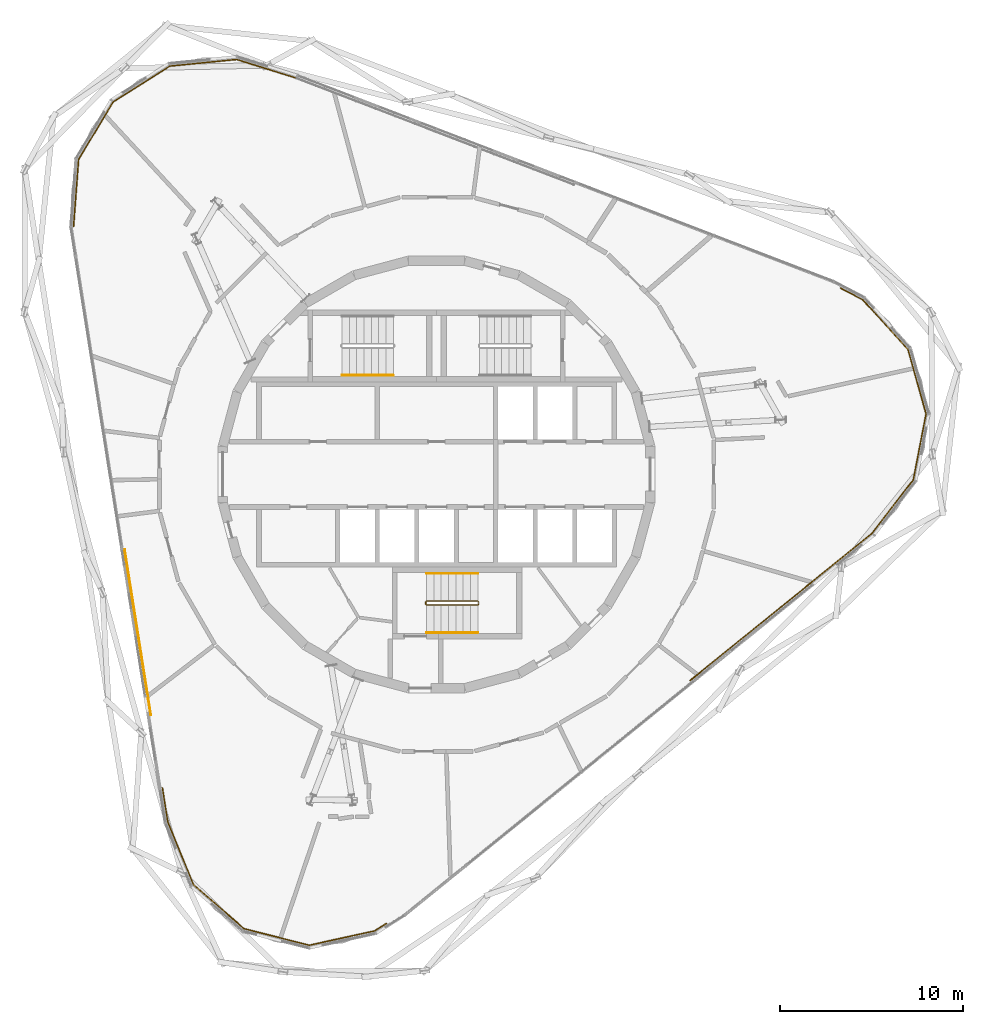
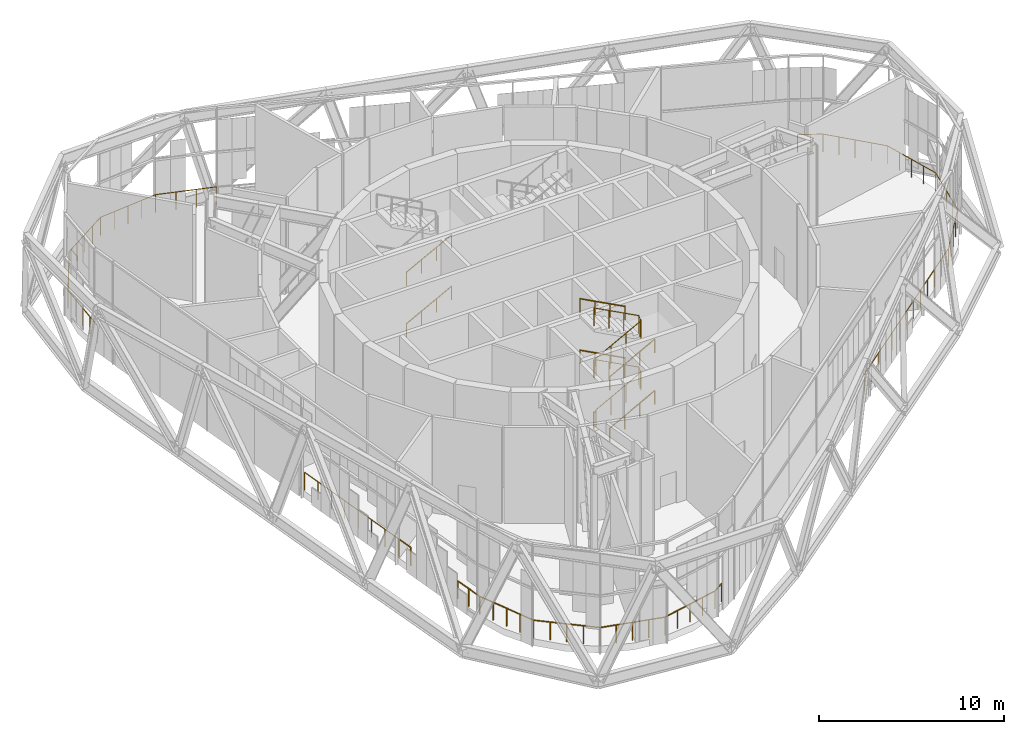
# One storey, part 24 of 25: 13 railings.
"""IFC4 building model written with IfcOpenShell, lengths in metres."""

from ifc_helpers import new_model, si_unit, direction, frame, origin, origin_2d, place, context, subcontext, project, spatial, circle, extrude, material, type_object, element, save


model = new_model("IFC4")

# Units and contexts
model_context = context("Model", 3, precision=1e-05, world=origin(), true_north=direction((0.0, 1.0)))
body_context = subcontext(model_context, "Body", "Model", "MODEL_VIEW")
ifc_project = project(units=[si_unit("LENGTHUNIT", "METRE"), si_unit("AREAUNIT", "SQUARE_METRE"), si_unit("VOLUMEUNIT", "CUBIC_METRE"), si_unit("PLANEANGLEUNIT", "RADIAN"), si_unit("MASSUNIT", "GRAM", prefix="KILO")], contexts=[model_context])

# Site, building, storey
site_placement = place(None, origin())
site = spatial("IfcSite", under=ifc_project, at=site_placement, CompositionType="ELEMENT")
building_placement = place(site_placement, origin())
building = spatial("IfcBuilding", under=site, at=building_placement, Name="Spindle Arch Residences", CompositionType="ELEMENT")
storey_placement = place(building_placement, frame((0.0, 0.0, 291.39990234375)))
storey = spatial("IfcBuildingStorey", under=building, at=storey_placement, Name="L75", CompositionType="ELEMENT", Elevation=291.39990234375)

# Railings
ifc_material_1 = material(Name="Bronze anodised aluminium guard with glass infill", Category="aluminium")
railing_type_1 = type_object("IfcRailingType", Name="Facade guard 1200", PredefinedType="GUARDRAIL", material=ifc_material_1)
railing_1_placement = place(storey_placement, frame((20.44140625, -5.870849609375, 0.0)))
element("IfcRailing", 1, at=railing_1_placement, inside=storey, type_object=railing_type_1, Name="Facade guard L75 1", PredefinedType="GUARDRAIL", context=body_context, shape_type="SweptSolid", body=[
    extrude(circle(Radius=0.02392578125, at=origin_2d()), frame((0.0, 0.0, 1.17578125), z_axis=(0.777130537676, 0.629339437356, 0.0), x_axis=(-0.629339437356, 0.777130537676, 0.0)), (0.0, 0.0, 1.0), 4.227294921875),
    extrude(circle(Radius=0.02392578125, at=origin_2d()), frame((3.28515625, 2.660400390625, 1.17578125), z_axis=(0.611671483044, 0.791111873777, 0.0), x_axis=(-0.791111873777, 0.611671483044, 0.0)), (0.0, 0.0, 1.0), 3.691162109375),
    extrude(circle(Radius=0.02392578125, at=origin_2d()), frame((5.54296875, 5.58056640625, 1.17578125), z_axis=(0.190167236161, 0.981751711122, 0.0), x_axis=(-0.981751711122, 0.190167236161, 0.0)), (0.0, 0.0, 1.0), 3.65625),
    extrude(circle(Radius=0.02392578125, at=origin_2d()), frame((6.23828125, 9.170166015625, 1.17578125), z_axis=(-0.270697234224, 0.962664535227, 0.0), x_axis=(-0.962664535227, -0.270697234224, 0.0)), (0.0, 0.0, 1.0), 3.65625),
    extrude(circle(Radius=0.02392578125, at=origin_2d()), frame((5.24853515625, 12.68994140625, 1.17578125), z_axis=(-0.673944724717, 0.738781772939, 0.0), x_axis=(-0.738781772939, -0.673944724717, 0.0)), (0.0, 0.0, 1.0), 3.65625),
    extrude(circle(Radius=0.02392578125, at=origin_2d()), frame((2.784423828125, 15.39111328125, 1.17578125), z_axis=(-0.885285831329, 0.465047306032, 0.0), x_axis=(-0.465047306032, -0.885285831329, 0.0)), (0.0, 0.0, 1.0), 1.36767578125),
    extrude(circle(Radius=0.02099609375, at=origin_2d()), origin(), (0.0, 0.0, 1.0), 1.15185546875),
    extrude(circle(Radius=0.02099609375, at=origin_2d()), frame((0.8212890625, 0.6650390625, 0.0)), (0.0, 0.0, 1.0), 1.15185546875),
    extrude(circle(Radius=0.02099609375, at=origin_2d()), frame((1.642578125, 1.330078125, 0.0)), (0.0, 0.0, 1.0), 1.15185546875),
    extrude(circle(Radius=0.02099609375, at=origin_2d()), frame((2.4638671875, 1.995361328125, 0.0)), (0.0, 0.0, 1.0), 1.15185546875),
    extrude(circle(Radius=0.02099609375, at=origin_2d()), frame((3.28515625, 2.660400390625, 0.0)), (0.0, 0.0, 1.0), 1.15185546875),
    extrude(circle(Radius=0.02099609375, at=origin_2d()), frame((3.849609375, 3.390380859375, 0.0)), (0.0, 0.0, 1.0), 1.15185546875),
    extrude(circle(Radius=0.02099609375, at=origin_2d()), frame((4.4140625, 4.12060546875, 0.0)), (0.0, 0.0, 1.0), 1.15185546875),
    extrude(circle(Radius=0.02099609375, at=origin_2d()), frame((4.978515625, 4.8505859375, 0.0)), (0.0, 0.0, 1.0), 1.15185546875),
    extrude(circle(Radius=0.02099609375, at=origin_2d()), frame((5.54296875, 5.58056640625, 0.0)), (0.0, 0.0, 1.0), 1.15185546875),
    extrude(circle(Radius=0.02099609375, at=origin_2d()), frame((5.716796875, 6.47802734375, 0.0)), (0.0, 0.0, 1.0), 1.15185546875),
    extrude(circle(Radius=0.02099609375, at=origin_2d()), frame((5.890625, 7.37548828125, 0.0)), (0.0, 0.0, 1.0), 1.15185546875),
    extrude(circle(Radius=0.02099609375, at=origin_2d()), frame((6.064453125, 8.272705078125, 0.0)), (0.0, 0.0, 1.0), 1.15185546875),
    extrude(circle(Radius=0.02099609375, at=origin_2d()), frame((6.23828125, 9.170166015625, 0.0)), (0.0, 0.0, 1.0), 1.15185546875),
    extrude(circle(Radius=0.02099609375, at=origin_2d()), frame((5.99072265625, 10.050048828125, 0.0)), (0.0, 0.0, 1.0), 1.15185546875),
    extrude(circle(Radius=0.02099609375, at=origin_2d()), frame((5.743408203125, 10.93017578125, 0.0)), (0.0, 0.0, 1.0), 1.15185546875),
    extrude(circle(Radius=0.02099609375, at=origin_2d()), frame((5.49609375, 11.81005859375, 0.0)), (0.0, 0.0, 1.0), 1.15185546875),
    extrude(circle(Radius=0.02099609375, at=origin_2d()), frame((5.24853515625, 12.68994140625, 0.0)), (0.0, 0.0, 1.0), 1.15185546875),
    extrude(circle(Radius=0.02099609375, at=origin_2d()), frame((4.632568359375, 13.365234375, 0.0)), (0.0, 0.0, 1.0), 1.15185546875),
    extrude(circle(Radius=0.02099609375, at=origin_2d()), frame((4.0166015625, 14.04052734375, 0.0)), (0.0, 0.0, 1.0), 1.15185546875),
    extrude(circle(Radius=0.02099609375, at=origin_2d()), frame((3.400390625, 14.7158203125, 0.0)), (0.0, 0.0, 1.0), 1.15185546875),
    extrude(circle(Radius=0.02099609375, at=origin_2d()), frame((2.784423828125, 15.39111328125, 0.0)), (0.0, 0.0, 1.0), 1.15185546875),
    extrude(circle(Radius=0.02099609375, at=origin_2d()), frame((2.17919921875, 15.708984375, 0.0)), (0.0, 0.0, 1.0), 1.15185546875),
    extrude(circle(Radius=0.02099609375, at=origin_2d()), frame((1.57373046875, 16.027099609375, 0.0)), (0.0, 0.0, 1.0), 1.15185546875),
])
railing_2_placement = place(storey_placement, frame((-7.651123046875, 21.601806640625, 0.0)))
element("IfcRailing", 2, at=railing_2_placement, inside=storey, type_object=railing_type_1, Name="Facade guard L75 3", PredefinedType="GUARDRAIL", context=body_context, shape_type="SweptSolid", body=[
    extrude(circle(Radius=0.02392578125, at=origin_2d()), frame((0.0, 0.0, 1.17578125), z_axis=(-0.954319898256, 0.298786766427, 0.0), x_axis=(-0.298786766427, -0.954319898256, 0.0)), (0.0, 0.0, 1.0), 3.39501953125),
    extrude(circle(Radius=0.02392578125, at=origin_2d()), frame((-3.239990234375, 1.014404296875, 1.17578125), z_axis=(-0.995103569518, -0.098837674665, 0.0), x_axis=(0.098837674665, -0.995103569518, 0.0)), (0.0, 0.0, 1.0), 3.665771484375),
    extrude(circle(Radius=0.02392578125, at=origin_2d()), frame((-6.8876953125, 0.652099609375, 1.17578125), z_axis=(-0.844589595888, -0.535414245717, 0.0), x_axis=(0.535414245717, -0.844589595888, 0.0)), (0.0, 0.0, 1.0), 3.656005859375),
    extrude(circle(Radius=0.02392578125, at=origin_2d()), frame((-9.9755859375, -1.305419921875, 1.17578125), z_axis=(-0.514485935836, -0.857498817391, 0.0), x_axis=(0.857498817391, -0.514485935836, 0.0)), (0.0, 0.0, 1.0), 3.65625),
    extrude(circle(Radius=0.02392578125, at=origin_2d()), frame((-11.856689453125, -4.440673828125, 1.17578125), z_axis=(-0.074853028037, -0.997194576897, 0.0), x_axis=(0.997194576897, -0.074853028037, 0.0)), (0.0, 0.0, 1.0), 3.65625),
    extrude(circle(Radius=0.02099609375, at=origin_2d()), origin(), (0.0, 0.0, 1.0), 1.15185546875),
    extrude(circle(Radius=0.02099609375, at=origin_2d()), frame((-1.080078125, 0.338134765625, 0.0)), (0.0, 0.0, 1.0), 1.15185546875),
    extrude(circle(Radius=0.02099609375, at=origin_2d()), frame((-2.159912109375, 0.67626953125, 0.0)), (0.0, 0.0, 1.0), 1.15185546875),
    extrude(circle(Radius=0.02099609375, at=origin_2d()), frame((-3.239990234375, 1.014404296875, 0.0)), (0.0, 0.0, 1.0), 1.15185546875),
    extrude(circle(Radius=0.02099609375, at=origin_2d()), frame((-4.15185546875, 0.923828125, 0.0)), (0.0, 0.0, 1.0), 1.15185546875),
    extrude(circle(Radius=0.02099609375, at=origin_2d()), frame((-5.06396484375, 0.833251953125, 0.0)), (0.0, 0.0, 1.0), 1.15185546875),
    extrude(circle(Radius=0.02099609375, at=origin_2d()), frame((-5.975830078125, 0.74267578125, 0.0)), (0.0, 0.0, 1.0), 1.15185546875),
    extrude(circle(Radius=0.02099609375, at=origin_2d()), frame((-6.8876953125, 0.652099609375, 0.0)), (0.0, 0.0, 1.0), 1.15185546875),
    extrude(circle(Radius=0.02099609375, at=origin_2d()), frame((-7.65966796875, 0.16259765625, 0.0)), (0.0, 0.0, 1.0), 1.15185546875),
    extrude(circle(Radius=0.02099609375, at=origin_2d()), frame((-8.431640625, -0.32666015625, 0.0)), (0.0, 0.0, 1.0), 1.15185546875),
    extrude(circle(Radius=0.02099609375, at=origin_2d()), frame((-9.20361328125, -0.81591796875, 0.0)), (0.0, 0.0, 1.0), 1.15185546875),
    extrude(circle(Radius=0.02099609375, at=origin_2d()), frame((-9.9755859375, -1.305419921875, 0.0)), (0.0, 0.0, 1.0), 1.15185546875),
    extrude(circle(Radius=0.02099609375, at=origin_2d()), frame((-10.44580078125, -2.08935546875, 0.0)), (0.0, 0.0, 1.0), 1.15185546875),
    extrude(circle(Radius=0.02099609375, at=origin_2d()), frame((-10.916015625, -2.873046875, 0.0)), (0.0, 0.0, 1.0), 1.15185546875),
    extrude(circle(Radius=0.02099609375, at=origin_2d()), frame((-11.386474609375, -3.65673828125, 0.0)), (0.0, 0.0, 1.0), 1.15185546875),
    extrude(circle(Radius=0.02099609375, at=origin_2d()), frame((-11.856689453125, -4.440673828125, 0.0)), (0.0, 0.0, 1.0), 1.15185546875),
    extrude(circle(Radius=0.02099609375, at=origin_2d()), frame((-11.925048828125, -5.35205078125, 0.0)), (0.0, 0.0, 1.0), 1.15185546875),
    extrude(circle(Radius=0.02099609375, at=origin_2d()), frame((-11.99365234375, -6.263671875, 0.0)), (0.0, 0.0, 1.0), 1.15185546875),
    extrude(circle(Radius=0.02099609375, at=origin_2d()), frame((-12.06201171875, -7.17529296875, 0.0)), (0.0, 0.0, 1.0), 1.15185546875),
    extrude(circle(Radius=0.02099609375, at=origin_2d()), frame((-12.13037109375, -8.086669921875, 0.0)), (0.0, 0.0, 1.0), 1.15185546875),
])
railing_3_placement = place(storey_placement, frame((-16.99609375, -4.09033203125, 0.0)))
element("IfcRailing", 3, at=railing_3_placement, inside=storey, type_object=railing_type_1, Name="Facade guard L75 4", PredefinedType="GUARDRAIL", context=body_context, shape_type="SweptSolid", body=[
    extrude(circle(Radius=0.02392578125, at=origin_2d()), frame((0.0, 0.0, 1.17578125), z_axis=(0.156448604688, -0.987686100991, 0.0), x_axis=(0.987686100991, 0.156448604688, 0.0)), (0.0, 0.0, 1.0), 8.047607421875),
    extrude(circle(Radius=0.02099609375, at=origin_2d()), origin(), (0.0, 0.0, 1.0), 1.15185546875),
    extrude(circle(Radius=0.02099609375, at=origin_2d()), frame((0.179931640625, -1.135498046875, 0.0)), (0.0, 0.0, 1.0), 1.15185546875),
    extrude(circle(Radius=0.02099609375, at=origin_2d()), frame((0.359619140625, -2.27099609375, 0.0)), (0.0, 0.0, 1.0), 1.15185546875),
    extrude(circle(Radius=0.02099609375, at=origin_2d()), frame((0.53955078125, -3.406494140625, 0.0)), (0.0, 0.0, 1.0), 1.15185546875),
    extrude(circle(Radius=0.02099609375, at=origin_2d()), frame((0.719482421875, -4.5419921875, 0.0)), (0.0, 0.0, 1.0), 1.15185546875),
    extrude(circle(Radius=0.02099609375, at=origin_2d()), frame((0.8994140625, -5.677490234375, 0.0)), (0.0, 0.0, 1.0), 1.15185546875),
    extrude(circle(Radius=0.02099609375, at=origin_2d()), frame((1.0791015625, -6.81298828125, 0.0)), (0.0, 0.0, 1.0), 1.15185546875),
    extrude(circle(Radius=0.02099609375, at=origin_2d()), frame((1.259033203125, -7.948486328125, 0.0)), (0.0, 0.0, 1.0), 1.15185546875),
])
railing_4_placement = place(storey_placement, frame((-15.727783203125, -12.09814453125, 0.0)))
element("IfcRailing", 4, at=railing_4_placement, inside=storey, type_object=railing_type_1, Name="Facade guard L75 5", PredefinedType="GUARDRAIL", context=body_context, shape_type="SweptSolid", body=[
    extrude(circle(Radius=0.02392578125, at=origin_2d()), frame((0.0, 0.0, 1.17578125), z_axis=(0.156641072243, -0.987655595077, 0.0), x_axis=(0.987655595077, 0.156641072243, 0.0)), (0.0, 0.0, 1.0), 1.01611328125),
    extrude(circle(Radius=0.02099609375, at=origin_2d()), origin(), (0.0, 0.0, 1.0), 1.15185546875),
    extrude(circle(Radius=0.02099609375, at=origin_2d()), frame((0.1591796875, -1.003662109375, 0.0)), (0.0, 0.0, 1.0), 1.15185546875),
])
railing_5_placement = place(storey_placement, frame((-14.93798828125, -17.083251953125, 0.0)))
element("IfcRailing", 5, at=railing_5_placement, inside=storey, type_object=railing_type_1, Name="Facade guard L75 6", PredefinedType="GUARDRAIL", context=body_context, shape_type="SweptSolid", body=[
    extrude(circle(Radius=0.02392578125, at=origin_2d()), frame((0.0, 0.0, 1.17578125), z_axis=(0.156402090598, -0.987693467659, 0.0), x_axis=(0.987693467659, 0.156402090598, 0.0)), (0.0, 0.0, 1.0), 1.882568359375),
    extrude(circle(Radius=0.02392578125, at=origin_2d()), frame((0.29443359375, -1.859375, 1.17578125), z_axis=(0.37924569733, -0.925296007263, 0.0), x_axis=(0.925296007263, 0.37924569733, 0.0)), (0.0, 0.0, 1.0), 3.691162109375),
    extrude(circle(Radius=0.02392578125, at=origin_2d()), frame((1.6943359375, -5.27490234375, 1.17578125), z_axis=(0.755164466234, -0.655535375809, 0.0), x_axis=(0.655535375809, 0.755164466234, 0.0)), (0.0, 0.0, 1.0), 3.65625),
    extrude(circle(Radius=0.02392578125, at=origin_2d()), frame((4.455322265625, -7.671630859375, 1.17578125), z_axis=(0.969036780114, -0.246916420648, 0.0), x_axis=(0.246916420648, 0.969036780114, 0.0)), (0.0, 0.0, 1.0), 3.656494140625),
    extrude(circle(Radius=0.02392578125, at=origin_2d()), frame((7.99853515625, -8.574462890625, 1.17578125), z_axis=(0.976772643574, 0.214278330136, 0.0), x_axis=(-0.214278330136, 0.976772643574, 0.0)), (0.0, 0.0, 1.0), 3.65625),
    extrude(circle(Radius=0.02392578125, at=origin_2d()), frame((11.56982421875, -7.791015625, 1.17578125), z_axis=(0.84577795451, 0.533535051955, 0.0), x_axis=(-0.533535051955, 0.84577795451, 0.0)), (0.0, 0.0, 1.0), 0.762451171875),
    extrude(circle(Radius=0.02099609375, at=origin_2d()), origin(), (0.0, 0.0, 1.0), 1.15185546875),
    extrude(circle(Radius=0.02099609375, at=origin_2d()), frame((0.147216796875, -0.9296875, 0.0)), (0.0, 0.0, 1.0), 1.15185546875),
    extrude(circle(Radius=0.02099609375, at=origin_2d()), frame((0.29443359375, -1.859375, 0.0)), (0.0, 0.0, 1.0), 1.15185546875),
    extrude(circle(Radius=0.02099609375, at=origin_2d()), frame((0.64453125, -2.71337890625, 0.0)), (0.0, 0.0, 1.0), 1.15185546875),
    extrude(circle(Radius=0.02099609375, at=origin_2d()), frame((0.994384765625, -3.567138671875, 0.0)), (0.0, 0.0, 1.0), 1.15185546875),
    extrude(circle(Radius=0.02099609375, at=origin_2d()), frame((1.34423828125, -4.4208984375, 0.0)), (0.0, 0.0, 1.0), 1.15185546875),
    extrude(circle(Radius=0.02099609375, at=origin_2d()), frame((1.6943359375, -5.27490234375, 0.0)), (0.0, 0.0, 1.0), 1.15185546875),
    extrude(circle(Radius=0.02099609375, at=origin_2d()), frame((2.384521484375, -5.8740234375, 0.0)), (0.0, 0.0, 1.0), 1.15185546875),
    extrude(circle(Radius=0.02099609375, at=origin_2d()), frame((3.07470703125, -6.47314453125, 0.0)), (0.0, 0.0, 1.0), 1.15185546875),
    extrude(circle(Radius=0.02099609375, at=origin_2d()), frame((3.76513671875, -7.072509765625, 0.0)), (0.0, 0.0, 1.0), 1.15185546875),
    extrude(circle(Radius=0.02099609375, at=origin_2d()), frame((4.455322265625, -7.671630859375, 0.0)), (0.0, 0.0, 1.0), 1.15185546875),
    extrude(circle(Radius=0.02099609375, at=origin_2d()), frame((5.341064453125, -7.8974609375, 0.0)), (0.0, 0.0, 1.0), 1.15185546875),
    extrude(circle(Radius=0.02099609375, at=origin_2d()), frame((6.22705078125, -8.123046875, 0.0)), (0.0, 0.0, 1.0), 1.15185546875),
    extrude(circle(Radius=0.02099609375, at=origin_2d()), frame((7.11279296875, -8.3486328125, 0.0)), (0.0, 0.0, 1.0), 1.15185546875),
    extrude(circle(Radius=0.02099609375, at=origin_2d()), frame((7.99853515625, -8.574462890625, 0.0)), (0.0, 0.0, 1.0), 1.15185546875),
    extrude(circle(Radius=0.02099609375, at=origin_2d()), frame((8.891357421875, -8.378662109375, 0.0)), (0.0, 0.0, 1.0), 1.15185546875),
    extrude(circle(Radius=0.02099609375, at=origin_2d()), frame((9.7841796875, -8.1826171875, 0.0)), (0.0, 0.0, 1.0), 1.15185546875),
    extrude(circle(Radius=0.02099609375, at=origin_2d()), frame((10.677001953125, -7.98681640625, 0.0)), (0.0, 0.0, 1.0), 1.15185546875),
    extrude(circle(Radius=0.02099609375, at=origin_2d()), frame((11.56982421875, -7.791015625, 0.0)), (0.0, 0.0, 1.0), 1.15185546875),
    extrude(circle(Radius=0.02099609375, at=origin_2d()), frame((12.214599609375, -7.38427734375, 0.0)), (0.0, 0.0, 1.0), 1.15185546875),
])
railing_6_placement = place(storey_placement, frame((13.828857421875, -11.225341796875, 0.0)))
element("IfcRailing", 6, at=railing_6_placement, inside=storey, type_object=railing_type_1, Name="Facade guard L75 7", PredefinedType="GUARDRAIL", context=body_context, shape_type="SweptSolid", body=[
    extrude(circle(Radius=0.02392578125, at=origin_2d()), frame((0.0, 0.0, 1.17578125), z_axis=(0.777150650496, 0.629314600525, 0.0), x_axis=(-0.629314600525, 0.777150650496, 0.0)), (0.0, 0.0, 1.0), 8.44873046875),
    extrude(circle(Radius=0.02099609375, at=origin_2d()), origin(), (0.0, 0.0, 1.0), 1.15185546875),
    extrude(circle(Radius=0.02099609375, at=origin_2d()), frame((0.82080078125, 0.66455078125, 0.0)), (0.0, 0.0, 1.0), 1.15185546875),
    extrude(circle(Radius=0.02099609375, at=origin_2d()), frame((1.6416015625, 1.3291015625, 0.0)), (0.0, 0.0, 1.0), 1.15185546875),
    extrude(circle(Radius=0.02099609375, at=origin_2d()), frame((2.462158203125, 1.993896484375, 0.0)), (0.0, 0.0, 1.0), 1.15185546875),
    extrude(circle(Radius=0.02099609375, at=origin_2d()), frame((3.282958984375, 2.658447265625, 0.0)), (0.0, 0.0, 1.0), 1.15185546875),
    extrude(circle(Radius=0.02099609375, at=origin_2d()), frame((4.103759765625, 3.322998046875, 0.0)), (0.0, 0.0, 1.0), 1.15185546875),
    extrude(circle(Radius=0.02099609375, at=origin_2d()), frame((4.92431640625, 3.98779296875, 0.0)), (0.0, 0.0, 1.0), 1.15185546875),
    extrude(circle(Radius=0.02099609375, at=origin_2d()), frame((5.7451171875, 4.65234375, 0.0)), (0.0, 0.0, 1.0), 1.15185546875),
    extrude(circle(Radius=0.02099609375, at=origin_2d()), frame((6.56591796875, 5.31689453125, 0.0)), (0.0, 0.0, 1.0), 1.15185546875),
])
ifc_material_2 = material(Name="Steel, painted", Category="steel")
railing_type_2 = type_object("IfcRailingType", Name="Stair guard 1100", PredefinedType="GUARDRAIL", material=ifc_material_2)
railing_7_placement = place(storey_placement, frame((-0.550048828125, -6.89990234375, 6.800048828125)))
element("IfcRailing", 7, at=railing_7_placement, inside=storey, type_object=railing_type_2, Name="L75 ST3 stair guard 1", PredefinedType="GUARDRAIL", context=body_context, shape_type="SweptSolid", body=[
    extrude(circle(Radius=0.02392578125, at=origin_2d()), frame((0.0, 0.0, 1.17578125), z_axis=(0.88311272858, 0.0, -0.469160855806), x_axis=(0.0, 1.0, 0.0)), (0.0, 0.0, 1.0), 3.170654296875),
    extrude(circle(Radius=0.02392578125, at=origin_2d()), frame((2.800048828125, 0.0, -0.3115234375), z_axis=(0.223546962728, -0.223546962728, -0.948711500357), x_axis=(0.707106781187, 0.707106781187, 0.0)), (0.0, 0.0, 1.0), 0.223876953125),
    extrude(circle(Radius=0.02392578125, at=origin_2d()), frame((2.85009765625, -0.050048828125, -0.52392578125), z_axis=(0.0, -1.0, 0.0), x_axis=(1.0, 0.0, 0.0)), (0.0, 0.0, 1.0), 0.1201171875),
    extrude(circle(Radius=0.02392578125, at=origin_2d()), frame((2.85009765625, -0.170166015625, -0.52392578125), z_axis=(-0.707106781187, -0.707106781187, 0.0), x_axis=(0.707106781187, -0.707106781187, 0.0)), (0.0, 0.0, 1.0), 0.07080078125),
    extrude(circle(Radius=0.02392578125, at=origin_2d()), frame((2.800048828125, -0.22021484375, -0.52392578125), z_axis=(-0.88311272858, 0.0, -0.469160855806), x_axis=(0.0, -1.0, 0.0)), (0.0, 0.0, 1.0), 3.170654296875),
    extrude(circle(Radius=0.02392578125, at=origin_2d()), frame((0.0, -0.22021484375, -2.01171875), z_axis=(-0.180861968005, 0.614930691216, -0.767560547142), x_axis=(-0.959365501571, -0.282166323992, 0.0)), (0.0, 0.0, 1.0), 0.276611328125),
    extrude(circle(Radius=0.02392578125, at=origin_2d()), frame((-0.050048828125, -0.050048828125, -2.22412109375), z_axis=(0.0, -1.0, 0.0), x_axis=(1.0, 0.0, 0.0)), (0.0, 0.0, 1.0), 0.1201171875),
    extrude(circle(Radius=0.02392578125, at=origin_2d()), frame((-0.050048828125, -0.170166015625, -2.22412109375), z_axis=(0.282166323992, 0.959365501571, 0.0), x_axis=(-0.959365501571, 0.282166323992, 0.0)), (0.0, 0.0, 1.0), 0.177490234375),
    extrude(circle(Radius=0.02392578125, at=origin_2d()), frame((0.0, 0.0, -2.22412109375), z_axis=(0.88311272858, 0.0, -0.469160855806), x_axis=(0.0, 1.0, 0.0)), (0.0, 0.0, 1.0), 3.170654296875),
    extrude(circle(Radius=0.02392578125, at=origin_2d()), frame((2.800048828125, 0.0, -3.71142578125), z_axis=(0.223546962728, -0.223546962728, -0.948711500357), x_axis=(0.707106781187, 0.707106781187, 0.0)), (0.0, 0.0, 1.0), 0.223876953125),
    extrude(circle(Radius=0.02392578125, at=origin_2d()), frame((2.85009765625, -0.050048828125, -3.923828125), z_axis=(0.0, -1.0, 0.0), x_axis=(1.0, 0.0, 0.0)), (0.0, 0.0, 1.0), 0.1201171875),
    extrude(circle(Radius=0.02392578125, at=origin_2d()), frame((2.85009765625, -0.170166015625, -3.923828125), z_axis=(-0.707106781187, -0.707106781187, 0.0), x_axis=(0.707106781187, -0.707106781187, 0.0)), (0.0, 0.0, 1.0), 0.07080078125),
    extrude(circle(Radius=0.02392578125, at=origin_2d()), frame((2.800048828125, -0.22021484375, -3.923828125), z_axis=(-0.88311272858, 0.0, -0.469160855806), x_axis=(0.0, -1.0, 0.0)), (0.0, 0.0, 1.0), 3.170654296875),
    extrude(circle(Radius=0.02392578125, at=origin_2d()), frame((0.0, -0.22021484375, -5.41162109375), z_axis=(-0.223315919267, 0.223315919267, -0.9488203204), x_axis=(-0.707106781187, -0.707106781187, 0.0)), (0.0, 0.0, 1.0), 0.22412109375),
    extrude(circle(Radius=0.02392578125, at=origin_2d()), frame((-0.050048828125, -0.170166015625, -5.6240234375), z_axis=(0.0, 1.0, 0.0), x_axis=(-1.0, 0.0, 0.0)), (0.0, 0.0, 1.0), 0.1201171875),
    extrude(circle(Radius=0.02099609375, at=origin_2d()), origin(), (0.0, 0.0, 1.0), 1.15185546875),
    extrude(circle(Radius=0.02099609375, at=origin_2d()), frame((0.933349609375, 0.0, -0.495849609375)), (0.0, 0.0, 1.0), 1.15185546875),
    extrude(circle(Radius=0.02099609375, at=origin_2d()), frame((1.86669921875, 0.0, -0.99169921875)), (0.0, 0.0, 1.0), 1.15185546875),
    extrude(circle(Radius=0.02099609375, at=origin_2d()), frame((2.800048828125, 0.0, -1.487548828125)), (0.0, 0.0, 1.0), 1.15185546875),
    extrude(circle(Radius=0.02099609375, at=origin_2d()), frame((2.85009765625, -0.050048828125, -1.699951171875)), (0.0, 0.0, 1.0), 1.15185546875),
    extrude(circle(Radius=0.02099609375, at=origin_2d()), frame((2.85009765625, -0.170166015625, -1.699951171875)), (0.0, 0.0, 1.0), 1.15185546875),
    extrude(circle(Radius=0.02099609375, at=origin_2d()), frame((2.800048828125, -0.22021484375, -1.699951171875)), (0.0, 0.0, 1.0), 1.15185546875),
    extrude(circle(Radius=0.02099609375, at=origin_2d()), frame((1.86669921875, -0.22021484375, -2.19580078125)), (0.0, 0.0, 1.0), 1.15185546875),
    extrude(circle(Radius=0.02099609375, at=origin_2d()), frame((0.933349609375, -0.22021484375, -2.691650390625)), (0.0, 0.0, 1.0), 1.15185546875),
    extrude(circle(Radius=0.02099609375, at=origin_2d()), frame((0.0, -0.22021484375, -3.1875)), (0.0, 0.0, 1.0), 1.15185546875),
    extrude(circle(Radius=0.02099609375, at=origin_2d()), frame((-0.050048828125, -0.050048828125, -3.39990234375)), (0.0, 0.0, 1.0), 1.15185546875),
    extrude(circle(Radius=0.02099609375, at=origin_2d()), frame((-0.050048828125, -0.170166015625, -3.39990234375)), (0.0, 0.0, 1.0), 1.15185546875),
    extrude(circle(Radius=0.02099609375, at=origin_2d()), frame((0.0, 0.0, -3.39990234375)), (0.0, 0.0, 1.0), 1.15185546875),
    extrude(circle(Radius=0.02099609375, at=origin_2d()), frame((0.933349609375, 0.0, -3.895751953125)), (0.0, 0.0, 1.0), 1.15185546875),
    extrude(circle(Radius=0.02099609375, at=origin_2d()), frame((1.86669921875, 0.0, -4.3916015625)), (0.0, 0.0, 1.0), 1.15185546875),
    extrude(circle(Radius=0.02099609375, at=origin_2d()), frame((2.800048828125, 0.0, -4.887451171875)), (0.0, 0.0, 1.0), 1.15185546875),
    extrude(circle(Radius=0.02099609375, at=origin_2d()), frame((2.85009765625, -0.050048828125, -5.099853515625)), (0.0, 0.0, 1.0), 1.15185546875),
    extrude(circle(Radius=0.02099609375, at=origin_2d()), frame((2.85009765625, -0.170166015625, -5.099853515625)), (0.0, 0.0, 1.0), 1.15185546875),
    extrude(circle(Radius=0.02099609375, at=origin_2d()), frame((2.800048828125, -0.22021484375, -5.099853515625)), (0.0, 0.0, 1.0), 1.15185546875),
    extrude(circle(Radius=0.02099609375, at=origin_2d()), frame((1.86669921875, -0.22021484375, -5.595703125)), (0.0, 0.0, 1.0), 1.15185546875),
    extrude(circle(Radius=0.02099609375, at=origin_2d()), frame((0.933349609375, -0.22021484375, -6.091552734375)), (0.0, 0.0, 1.0), 1.15185546875),
    extrude(circle(Radius=0.02099609375, at=origin_2d()), frame((0.0, -0.22021484375, -6.58740234375)), (0.0, 0.0, 1.0), 1.15185546875),
    extrude(circle(Radius=0.02099609375, at=origin_2d()), frame((-0.050048828125, -0.170166015625, -6.800048828125)), (0.0, 0.0, 1.0), 1.15185546875),
    extrude(circle(Radius=0.02099609375, at=origin_2d()), frame((-0.050048828125, -0.050048828125, -6.800048828125)), (0.0, 0.0, 1.0), 1.15185546875),
])
ifc_material_3 = material(Name="Steel, painted", Category="steel")
railing_type_3 = type_object("IfcRailingType", Name="Stair handrail 900", PredefinedType="HANDRAIL", material=ifc_material_3)
for number, where, name in (
    (8, (-5.14990234375, 5.39990234375, 0.212646484375), "L75 ST2 stair handrail 1"),
    (9, (-5.14990234375, 5.39990234375, 3.612548828125), "L75 ST2 stair handrail 3"),
):
    element("IfcRailing", number, at=place(storey_placement, frame(where)), inside=storey, type_object=railing_type_3, Name=name, PredefinedType="HANDRAIL", context=body_context, shape_type="SweptSolid", body=[
        extrude(circle(Radius=0.02392578125, at=origin_2d()), frame((0.0, 0.0, 0.8759765625), z_axis=(0.883095778239, 0.0, 0.469192760447), x_axis=(0.0, 1.0, 0.0)), (0.0, 0.0, 1.0), 3.17041015625),
        extrude(circle(Radius=0.02099609375, at=origin_2d()), origin(), (0.0, 0.0, 1.0), 0.851806640625),
        extrude(circle(Radius=0.02099609375, at=origin_2d()), frame((0.933349609375, 0.0, 0.495849609375)), (0.0, 0.0, 1.0), 0.851806640625),
        extrude(circle(Radius=0.02099609375, at=origin_2d()), frame((1.866455078125, 0.0, 0.99169921875)), (0.0, 0.0, 1.0), 0.851806640625),
        extrude(circle(Radius=0.02099609375, at=origin_2d()), frame((2.7998046875, 0.0, 1.487548828125)), (0.0, 0.0, 1.0), 0.851806640625),
    ])
railing_8_placement = place(storey_placement, frame((-0.550048828125, -8.6201171875, 0.212646484375)))
element("IfcRailing", 10, at=railing_8_placement, inside=storey, type_object=railing_type_3, Name="L75 ST3 stair handrail 1", PredefinedType="HANDRAIL", context=body_context, shape_type="SweptSolid", body=[
    extrude(circle(Radius=0.02392578125, at=origin_2d()), frame((0.0, 0.0, 0.8759765625), z_axis=(0.88311272858, 0.0, 0.469160855806), x_axis=(0.0, 1.0, 0.0)), (0.0, 0.0, 1.0), 3.170654296875),
    extrude(circle(Radius=0.02099609375, at=origin_2d()), origin(), (0.0, 0.0, 1.0), 0.851806640625),
    extrude(circle(Radius=0.02099609375, at=origin_2d()), frame((0.933349609375, 0.0, 0.495849609375)), (0.0, 0.0, 1.0), 0.851806640625),
    extrude(circle(Radius=0.02099609375, at=origin_2d()), frame((1.86669921875, 0.0, 0.99169921875)), (0.0, 0.0, 1.0), 0.851806640625),
    extrude(circle(Radius=0.02099609375, at=origin_2d()), frame((2.800048828125, 0.0, 1.487548828125)), (0.0, 0.0, 1.0), 0.851806640625),
])
railing_9_placement = place(storey_placement, frame((2.25, -5.39990234375, 1.91259765625)))
element("IfcRailing", 11, at=railing_9_placement, inside=storey, type_object=railing_type_3, Name="L75 ST3 stair handrail 2", PredefinedType="HANDRAIL", context=body_context, shape_type="SweptSolid", body=[
    extrude(circle(Radius=0.02392578125, at=origin_2d()), frame((0.0, 0.0, 0.8759765625), z_axis=(-0.88311272858, 0.0, 0.469160855806), x_axis=(0.0, -1.0, 0.0)), (0.0, 0.0, 1.0), 3.170654296875),
    extrude(circle(Radius=0.02099609375, at=origin_2d()), origin(), (0.0, 0.0, 1.0), 0.851806640625),
    extrude(circle(Radius=0.02099609375, at=origin_2d()), frame((-0.933349609375, 0.0, 0.495849609375)), (0.0, 0.0, 1.0), 0.851806640625),
    extrude(circle(Radius=0.02099609375, at=origin_2d()), frame((-1.86669921875, 0.0, 0.99169921875)), (0.0, 0.0, 1.0), 0.851806640625),
    extrude(circle(Radius=0.02099609375, at=origin_2d()), frame((-2.800048828125, 0.0, 1.487548828125)), (0.0, 0.0, 1.0), 0.851806640625),
])
railing_10_placement = place(storey_placement, frame((-0.550048828125, -8.6201171875, 3.612548828125)))
element("IfcRailing", 12, at=railing_10_placement, inside=storey, type_object=railing_type_3, Name="L75 ST3 stair handrail 3", PredefinedType="HANDRAIL", context=body_context, shape_type="SweptSolid", body=[
    extrude(circle(Radius=0.02392578125, at=origin_2d()), frame((0.0, 0.0, 0.8759765625), z_axis=(0.88311272858, 0.0, 0.469160855806), x_axis=(0.0, 1.0, 0.0)), (0.0, 0.0, 1.0), 3.170654296875),
    extrude(circle(Radius=0.02099609375, at=origin_2d()), origin(), (0.0, 0.0, 1.0), 0.851806640625),
    extrude(circle(Radius=0.02099609375, at=origin_2d()), frame((0.933349609375, 0.0, 0.495849609375)), (0.0, 0.0, 1.0), 0.851806640625),
    extrude(circle(Radius=0.02099609375, at=origin_2d()), frame((1.86669921875, 0.0, 0.99169921875)), (0.0, 0.0, 1.0), 0.851806640625),
    extrude(circle(Radius=0.02099609375, at=origin_2d()), frame((2.800048828125, 0.0, 1.487548828125)), (0.0, 0.0, 1.0), 0.851806640625),
])
railing_11_placement = place(storey_placement, frame((2.25, -5.39990234375, 5.3125)))
element("IfcRailing", 13, at=railing_11_placement, inside=storey, type_object=railing_type_3, Name="L75 ST3 stair handrail 4", PredefinedType="HANDRAIL", context=body_context, shape_type="SweptSolid", body=[
    extrude(circle(Radius=0.02392578125, at=origin_2d()), frame((0.0, 0.0, 0.8759765625), z_axis=(-0.88311272858, 0.0, 0.469160855806), x_axis=(0.0, -1.0, 0.0)), (0.0, 0.0, 1.0), 3.170654296875),
    extrude(circle(Radius=0.02099609375, at=origin_2d()), origin(), (0.0, 0.0, 1.0), 0.851806640625),
    extrude(circle(Radius=0.02099609375, at=origin_2d()), frame((-0.933349609375, 0.0, 0.495849609375)), (0.0, 0.0, 1.0), 0.851806640625),
    extrude(circle(Radius=0.02099609375, at=origin_2d()), frame((-1.86669921875, 0.0, 0.99169921875)), (0.0, 0.0, 1.0), 0.851806640625),
    extrude(circle(Radius=0.02099609375, at=origin_2d()), frame((-2.800048828125, 0.0, 1.487548828125)), (0.0, 0.0, 1.0), 0.851806640625),
])

save(model, "model.ifc")
